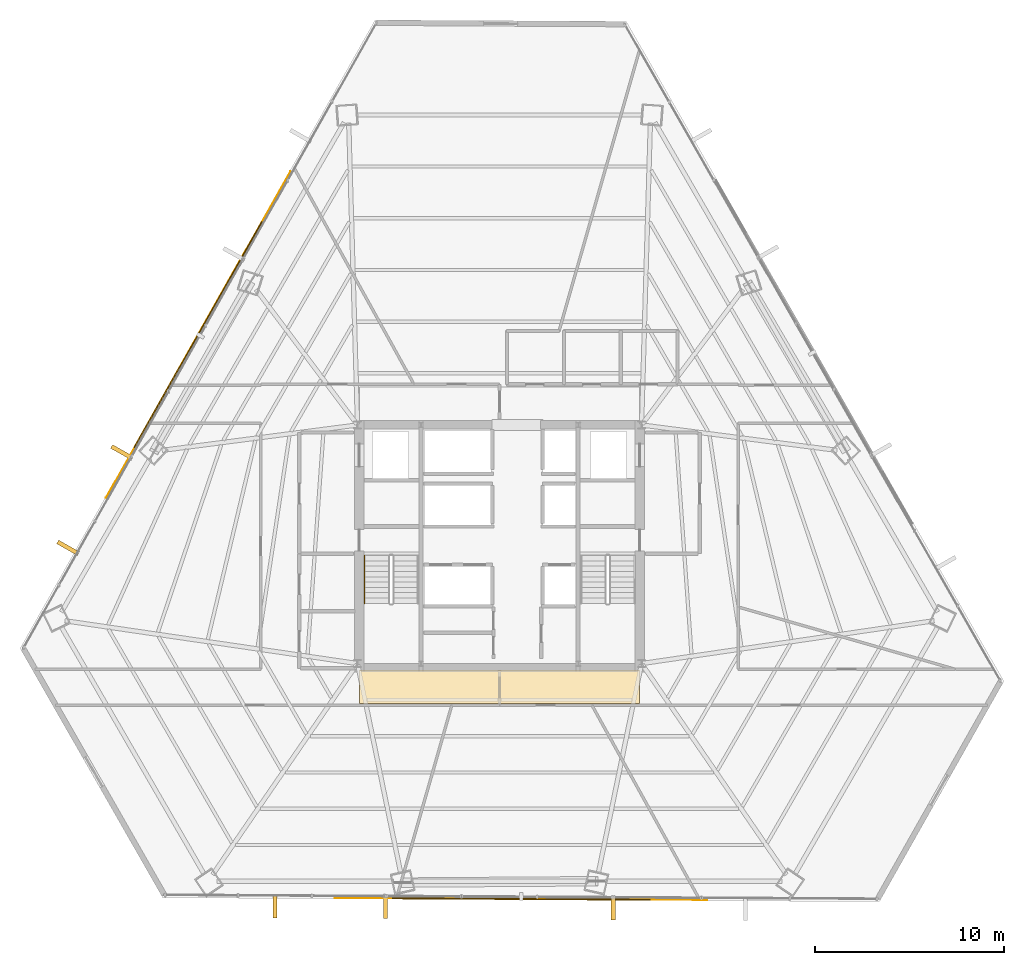
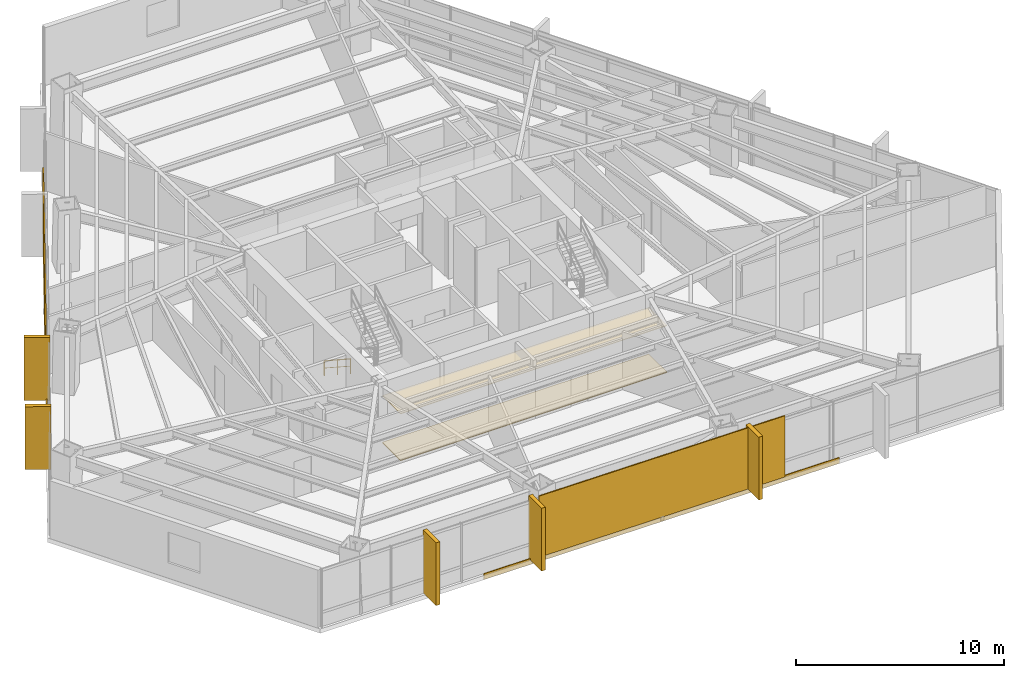
# One storey, part 34 of 36: 9 coverings, 2 shading devices, 1 railing.
"""IFC4 building model written with IfcOpenShell, lengths in metres."""

from ifc_helpers import new_model, si_unit, direction, frame, origin, origin_2d, place, context, subcontext, project, spatial, polyline, rectangle, outline, extrude, source, transform, mapped, material, layer, layer_set, type_object, type_shapes, element, save


model = new_model("IFC4")

# Units and contexts
model_context = context("Model", 3, precision=1e-05, world=origin(), true_north=direction((0.0, 1.0)))
body_context = subcontext(model_context, "Body", "Model", "MODEL_VIEW")
ifc_project = project(units=[si_unit("LENGTHUNIT", "METRE"), si_unit("AREAUNIT", "SQUARE_METRE"), si_unit("VOLUMEUNIT", "CUBIC_METRE"), si_unit("PLANEANGLEUNIT", "RADIAN"), si_unit("MASSUNIT", "GRAM", prefix="KILO")], contexts=[model_context])

# Site, building, storey
site_placement = place(None, origin())
site = spatial("IfcSite", under=ifc_project, at=site_placement, CompositionType="ELEMENT")
building_placement = place(site_placement, origin())
building = spatial("IfcBuilding", under=site, at=building_placement, Name="Caelisora Broadcast Tower", CompositionType="ELEMENT")
storey_placement = place(building_placement, frame((0.0, 0.0, 79.85009765625)))
storey = spatial("IfcBuildingStorey", under=building, at=storey_placement, Name="L20", CompositionType="ELEMENT", Elevation=79.85009765625)

# Coverings
ifc_material_1 = material(Name="Perforated Mineral-Fibre Acoustic Ceiling Tile", Category="gypsum")
ifc_layer_1 = layer(ifc_material_1, 0.034912109375, Name="Perforated Mineral-Fibre Acoustic Ceiling Tile")
ifc_layer_set_1 = layer_set([ifc_layer_1], Name="Perforated Mineral-Fibre Acoustic Ceiling Tile")
covering_type_1 = type_object("IfcCoveringType", Name="CE-1", PredefinedType="CEILING", material=ifc_layer_set_1)
covering_1_placement = place(storey_placement, frame((0.0, 0.0, 2.75)))
element("IfcCovering", 1, at=covering_1_placement, inside=storey, type_object=covering_type_1, Name="L20 acoustic corridor ceiling CE-1 (S)", PredefinedType="CEILING", context=body_context, shape_type="SweptSolid", body=[
    extrude(outline(polyline([(30.60009765625, 15.300048828125), (45.39990234375, 15.300048828125), (45.39990234375, 17.050048828125), (30.60009765625, 17.050048828125), (30.60009765625, 15.300048828125)])), origin(), (0.0, 0.0, 1.0), 0.034912109375),
])
ifc_material_2 = material(Name="Anti-Static Broadcast Raised Access Floor Panel", Category="steel")
ifc_layer_2 = layer(ifc_material_2, 0.044921875, Name="Anti-Static Broadcast Raised Access Floor Panel")
ifc_layer_set_2 = layer_set([ifc_layer_2], Name="Anti-Static Broadcast Raised Access Floor Panel")
covering_type_2 = type_object("IfcCoveringType", Name="FL-1", PredefinedType="FLOORING", material=ifc_layer_set_2)
covering_2_placement = place(storey_placement, origin())
element("IfcCovering", 2, at=covering_2_placement, inside=storey, type_object=covering_type_2, Name="L20 broadcast raised access floor FL-1 (S)", PredefinedType="FLOORING", context=body_context, shape_type="SweptSolid", body=[
    extrude(outline(polyline([(30.60009765625, 15.300048828125), (45.39990234375, 15.300048828125), (45.39990234375, 17.050048828125), (30.60009765625, 17.050048828125), (30.60009765625, 15.300048828125)])), origin(), (0.0, 0.0, 1.0), 0.044921875),
])

# Railing
ifc_material_3 = material(Name="Stainless Steel Grade 316 Tubular Handrail", Category="steel")
ifc_layer_3 = layer(ifc_material_3, 0.048095703125, Name="Stainless Steel Grade 316 Tubular Handrail")
ifc_layer_set_3 = layer_set([ifc_layer_3], Name="Stainless Steel Grade 316 Tubular Handrail")
railing_type = type_object("IfcRailingType", Name="HR-1", PredefinedType="HANDRAIL", material=ifc_layer_set_3)
railing_placement = place(storey_placement, frame((30.8701171875, 23.10009765625, 0.182373046875)))
element("IfcRailing", 3, at=railing_placement, inside=storey, type_object=railing_type, Name="L20 ST-1 stair handrail 1", PredefinedType="HANDRAIL", context=body_context, shape_type="SweptSolid", body=[
    extrude(rectangle(XDim=0.048095703125, YDim=0.048095703125, at=origin_2d()), frame((0.0, 0.0, 0.8759765625), z_axis=(0.0, -0.837749427056, 0.546054848405), x_axis=(1.0, 0.0, 0.0)), (0.0, 0.0, 1.0), 3.008056640625),
    extrude(rectangle(XDim=0.03125, YDim=0.03125, at=origin_2d()), frame((0.0, 0.0, 0.449951171875), z_axis=(0.0, -0.837749427056, 0.546054848405), x_axis=(1.0, 0.0, 0.0)), (0.0, 0.0, 1.0), 3.008056640625),
    extrude(rectangle(XDim=0.0419921875, YDim=0.0419921875, at=origin_2d()), origin(), (0.0, 0.0, 1.0), 0.851806640625),
    extrude(rectangle(XDim=0.0419921875, YDim=0.0419921875, at=origin_2d()), frame((0.0, -1.260009765625, 0.8212890625)), (0.0, 0.0, 1.0), 0.851806640625),
    extrude(rectangle(XDim=0.0419921875, YDim=0.0419921875, at=origin_2d()), frame((0.0, -2.52001953125, 1.642578125)), (0.0, 0.0, 1.0), 0.851806640625),
])

# Coverings
ifc_material_4 = material(Name="Kiln-Fired Terracotta Spandrel Rainscreen Cladding", Category="ceramic")
ifc_layer_4 = layer(ifc_material_4, 0.044921875, Name="Kiln-Fired Terracotta Spandrel Rainscreen Cladding")
ifc_layer_set_4 = layer_set([ifc_layer_4], Name="Kiln-Fired Terracotta Spandrel Rainscreen Cladding")
covering_type_3 = type_object("IfcCoveringType", Name="CL-1", PredefinedType="CLADDING", material=ifc_layer_set_4)
shared_shape_1 = source(origin(), body_context, "Body", "SweptSolid", [
    extrude(rectangle(XDim=0.219970703125, YDim=1.25, at=origin_2d()), origin(), (0.0, 0.0, 1.0), 3.68994140625),
])
for number, where, z_axis, x_axis, name in (
    (4, (44.004638671875, 4.490478515625, -0.02001953125), (0.0, 0.0, 1.0), (-0.999985363169, 0.005410494284, 0.0), "L20 vertical solar fin cladding #2-2"),
    (5, (31.98095703125, 4.55615234375, -0.02001953125), (0.0, 0.0, 1.0), (-0.999985363169, 0.005410494284, 0.0), "L20 vertical solar fin cladding #2-3"),
    (6, (26.138916015625, 4.588134765625, -0.02001953125), (0.0, 0.0, 1.0), (-0.999985363169, 0.005410494284, 0.0), "L20 vertical solar fin cladding #2-4"),
    (7, (15.210693359375, 23.515869140625, -0.02001953125), (0.0, 0.0, 1.0), (0.49181581725, 0.870699260309, 0.0), "L20 vertical solar fin cladding #3-1"),
    (8, (18.057861328125, 28.556396484375, -0.02001953125), (0.0, 0.0, 1.0), (0.49181581725, 0.870699260309, 0.0), "L20 vertical solar fin cladding #3-2"),
):
    element("IfcCovering", number, at=place(storey_placement, frame(where, z_axis=z_axis, x_axis=x_axis)), inside=storey, type_object=covering_type_3, Name=name, PredefinedType="CLADDING", context=body_context, shape_type="MappedRepresentation", body=[
        mapped(shared_shape_1, transform((0.0, 0.0, 0.0), scale=1.0)),
    ])

# Shading device
ifc_material_5 = material(Name="Perforated Glazed Terracotta Baguette Solar Screen", Category="ceramic")
ifc_layer_5 = layer(ifc_material_5, 0.06494140625, Name="Perforated Glazed Terracotta Baguette Solar Screen")
ifc_layer_set_5 = layer_set([ifc_layer_5], Name="Perforated Glazed Terracotta Baguette Solar Screen")
shading_device_type = type_object("IfcShadingDeviceType", Name="SS-1", PredefinedType="USERDEFINED", material=ifc_layer_set_5)
shared_shape_2 = source(origin(), body_context, "Body", "SweptSolid", [
    extrude(rectangle(XDim=13.720947265625, YDim=0.06494140625, at=origin_2d()), origin(), (0.0, 0.0, 1.0), 3.590087890625),
])
shading_device_1_placement = place(storey_placement, frame((22.085693359375, 34.772216796875, 0.0), z_axis=(0.0, 0.0, 1.0), x_axis=(-0.49181581725, -0.870699260309, 0.0)))
element("IfcShadingDevice", 9, at=shading_device_1_placement, inside=storey, type_object=shading_device_type, Name="L20 perforated terracotta solar screen #1", ObjectType="SOLAR SCREEN", PredefinedType="USERDEFINED", context=body_context, shape_type="MappedRepresentation", body=[
    mapped(shared_shape_2, transform((0.0, 0.0, 0.0), scale=1.0)),
])

# Covering
shared_shape_3 = source(origin(), body_context, "Body", "SweptSolid", [
    extrude(rectangle(XDim=19.819091796875, YDim=0.044921875, at=origin_2d()), origin(), (0.0, 0.0, 1.0), 0.340087890625),
])
covering_3_placement = place(storey_placement, frame((22.103271484375, 34.762451171875, -0.27001953125), z_axis=(0.0, 0.0, 1.0), x_axis=(-0.49181581725, -0.870699260309, 0.0)))
element("IfcCovering", 10, at=covering_3_placement, inside=storey, type_object=covering_type_3, Name="L20 terracotta spandrel rainscreen #1", PredefinedType="CLADDING", context=body_context, shape_type="MappedRepresentation", body=[
    mapped(shared_shape_3, transform((0.0, 0.0, 0.0), scale=1.0)),
])

# Shading device
shared_shape_4 = source(origin(), body_context, "Body", "SweptSolid", [
    extrude(rectangle(XDim=13.6259765625, YDim=0.06494140625, at=origin_2d()), origin(), (0.0, 0.0, 1.0), 3.590087890625),
])
type_shapes(shading_device_type, [shared_shape_2, shared_shape_4])
shading_device_2_placement = place(storey_placement, frame((39.1376953125, 4.967041015625, 0.0), z_axis=(0.0, 0.0, 1.0), x_axis=(0.999985363169, -0.005410494284, 0.0)))
element("IfcShadingDevice", 11, at=shading_device_2_placement, inside=storey, type_object=shading_device_type, Name="L20 perforated terracotta solar screen #2", ObjectType="SOLAR SCREEN", PredefinedType="USERDEFINED", context=body_context, shape_type="MappedRepresentation", body=[
    mapped(shared_shape_4, transform((0.0, 0.0, 0.0), scale=1.0)),
])

# Covering
shared_shape_5 = source(origin(), body_context, "Body", "SweptSolid", [
    extrude(rectangle(XDim=19.681884765625, YDim=0.044921875, at=origin_2d()), origin(), (0.0, 0.0, 1.0), 0.340087890625),
])
type_shapes(covering_type_3, [shared_shape_1, shared_shape_3, shared_shape_5])
covering_4_placement = place(storey_placement, frame((39.1376953125, 4.987060546875, -0.27001953125), z_axis=(0.0, 0.0, 1.0), x_axis=(0.999985363169, -0.005410494284, 0.0)))
element("IfcCovering", 12, at=covering_4_placement, inside=storey, type_object=covering_type_3, Name="L20 terracotta spandrel rainscreen #2", PredefinedType="CLADDING", context=body_context, shape_type="MappedRepresentation", body=[
    mapped(shared_shape_5, transform((0.0, 0.0, 0.0), scale=1.0)),
])

save(model, "model.ifc")
